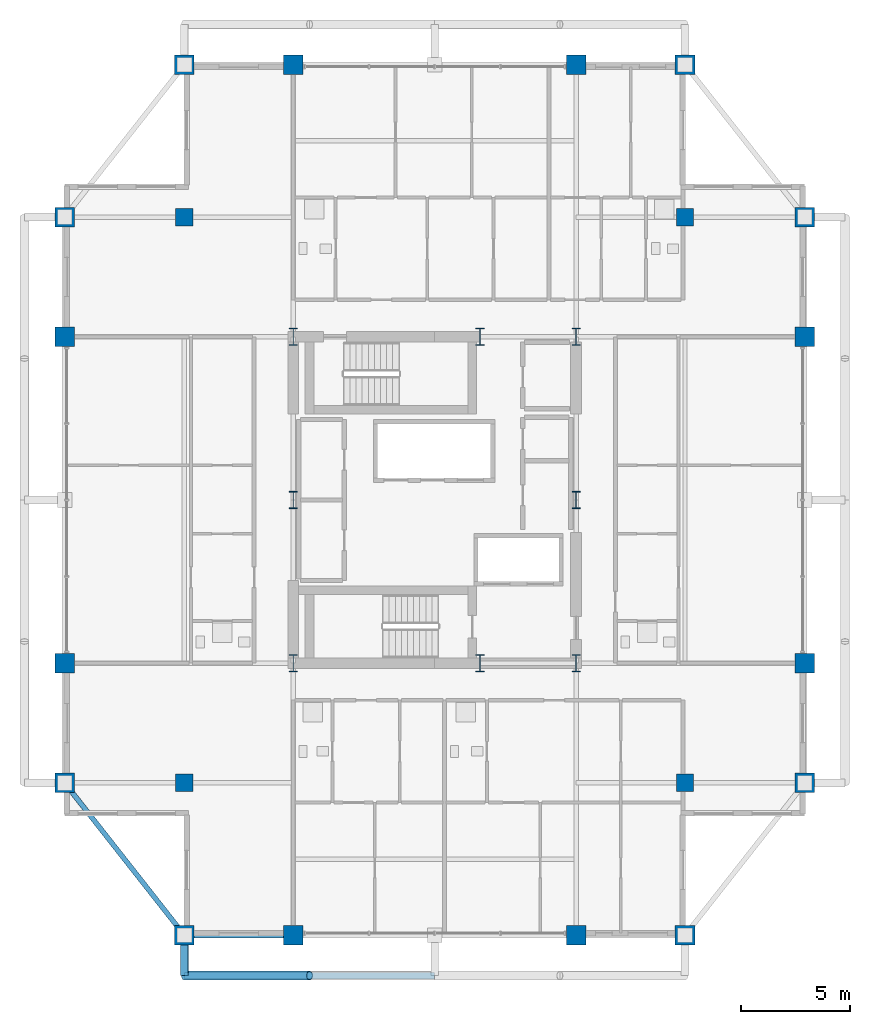
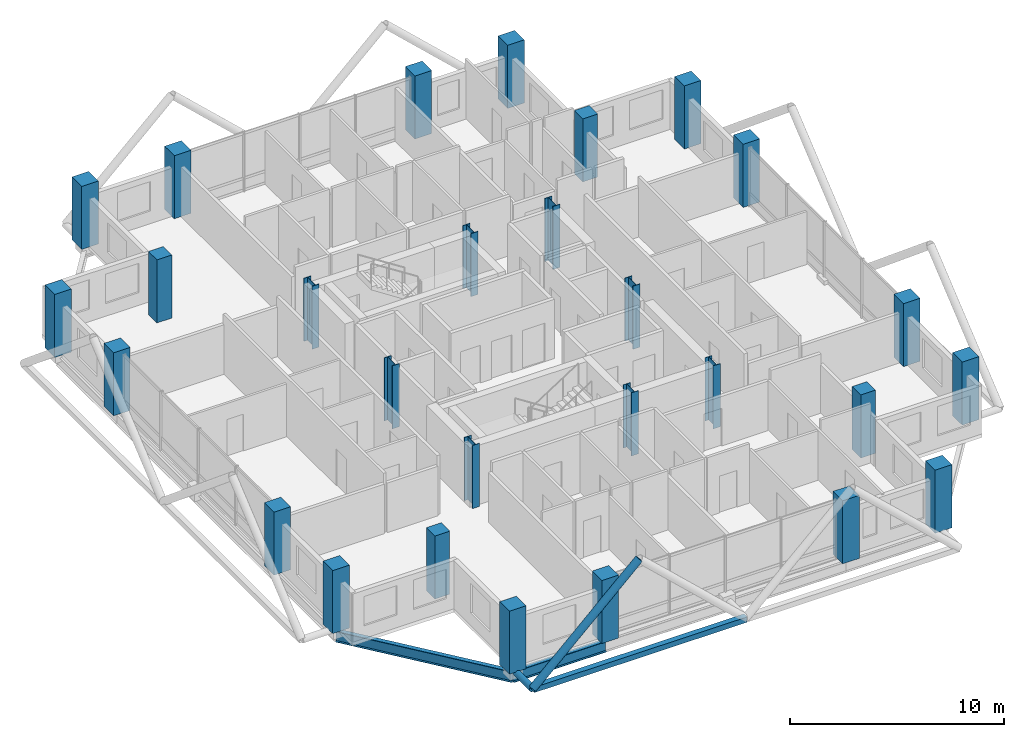
# One storey, part 1 of 25: 28 columns, 3 members, 2 beams.
"""IFC4 building model written with IfcOpenShell, lengths in metres."""

from ifc_helpers import new_model, si_unit, direction, frame, origin, origin_2d, place, context, subcontext, project, spatial, rectangle, hollow_rectangle, hollow_circle, i_section, extrude, material, material_profile, profile_set, type_object, element, save


model = new_model("IFC4")

# Units and contexts
model_context = context("Model", 3, precision=1e-05, world=origin(), true_north=direction((0.0, 1.0)))
body_context = subcontext(model_context, "Body", "Model", "MODEL_VIEW")
ifc_project = project(units=[si_unit("LENGTHUNIT", "METRE"), si_unit("AREAUNIT", "SQUARE_METRE"), si_unit("VOLUMEUNIT", "CUBIC_METRE"), si_unit("PLANEANGLEUNIT", "RADIAN"), si_unit("MASSUNIT", "GRAM", prefix="KILO")], contexts=[model_context])

# Site, building, storey
site_placement = place(None, origin())
site = spatial("IfcSite", under=ifc_project, at=site_placement, CompositionType="ELEMENT")
building_placement = place(site_placement, origin())
building = spatial("IfcBuilding", under=site, at=building_placement, Name="Barlavira Tower and Art Museum", CompositionType="ELEMENT")
storey_placement = place(building_placement, frame((0.0, 0.0, 229.5)))
storey = spatial("IfcBuildingStorey", under=building, at=storey_placement, Name="L59", CompositionType="ELEMENT", Elevation=229.5)

# Columns
ifc_material_1 = material(Name="Steel S355", Category="steel")
ifc_material_profile_1 = material_profile(ifc_material_1, i_section(OverallWidth=0.382080078125, OverallDepth=0.785888671875, WebThickness=0.02001953125, FlangeThickness=0.032958984375, at=origin_2d()), Name="W760x314.0")
ifc_profile_set_1 = profile_set([ifc_material_profile_1], Name="Steel S355")
column_type_1 = type_object("IfcColumnType", Name="Core Composite Column W760x314 Steel S355", PredefinedType="COLUMN", material=ifc_profile_set_1)
for number, where, z_axis, x_axis, name in (
    (1, (-6.5, -7.5, 0.0), (0.0, 0.0, 1.0), (1.0, 0.0, 0.0), "L59 Column CC-L59-C1"),
    (2, (2.080078125, -7.5, 0.0), (0.0, 0.0, 1.0), (1.0, 0.0, 0.0), "L59 Column CC-L59-C2"),
    (3, (6.5, -7.5, 0.0), (0.0, 0.0, 1.0), (1.0, 0.0, 0.0), "L59 Column CC-L59-C3"),
    (4, (-6.5, 0.0, 0.0), (0.0, 0.0, 1.0), (1.0, 0.0, 0.0), "L59 Column CC-L59-C4"),
    (5, (6.5, 0.0, 0.0), (0.0, 0.0, 1.0), (1.0, 0.0, 0.0), "L59 Column CC-L59-C5"),
    (6, (-6.5, 7.5, 0.0), (0.0, 0.0, 1.0), (1.0, 0.0, 0.0), "L59 Column CC-L59-C6"),
    (7, (2.080078125, 7.5, 0.0), (0.0, 0.0, 1.0), (1.0, 0.0, 0.0), "L59 Column CC-L59-C7"),
    (8, (6.5, 7.5, 0.0), (0.0, 0.0, 1.0), (1.0, 0.0, 0.0), "L59 Column CC-L59-C8"),
):
    element("IfcColumn", number, at=place(storey_placement, frame(where, z_axis=z_axis, x_axis=x_axis)), inside=storey, type_object=column_type_1, Name=name, PredefinedType="COLUMN", context=body_context, shape_type="SweptSolid", body=[
        extrude(i_section(OverallWidth=0.382080078125, OverallDepth=0.785888671875, WebThickness=0.02001953125, FlangeThickness=0.032958984375, at=origin_2d()), origin(), (0.0, 0.0, 1.0), 3.60009765625),
    ])
ifc_material_2 = material(Name="Concrete C50", Category="concrete")
ifc_material_profile_2 = material_profile(ifc_material_2, rectangle(XDim=0.89990234375, YDim=0.89990234375, at=origin_2d()), Name="RC-COL 900x900")
ifc_profile_set_2 = profile_set([ifc_material_profile_2], Name="Concrete C50")
column_type_2 = type_object("IfcColumnType", Name="Perimeter Mega Column 900x900 Concrete C50", PredefinedType="USERDEFINED", material=ifc_profile_set_2)
for number, where, z_axis, x_axis, name in (
    (9, (-11.5, -20.0, 0.0), (0.0, 0.0, 1.0), (1.0, 0.0, 0.0), "L59 Column MC-L59-M01"),
    (10, (-6.5, -20.0, 0.0), (0.0, 0.0, 1.0), (1.0, 0.0, 0.0), "L59 Column MC-L59-M02"),
    (11, (6.5, -20.0, 0.0), (0.0, 0.0, 1.0), (1.0, 0.0, 0.0), "L59 Column MC-L59-M03"),
    (12, (11.5, -20.0, 0.0), (0.0, 0.0, 1.0), (1.0, 0.0, 0.0), "L59 Column MC-L59-M04"),
    (13, (17.0, -13.0, 0.0), (0.0, 0.0, 1.0), (1.0, 0.0, 0.0), "L59 Column MC-L59-M05"),
    (14, (17.0, -7.5, 0.0), (0.0, 0.0, 1.0), (1.0, 0.0, 0.0), "L59 Column MC-L59-M06"),
    (15, (17.0, 7.5, 0.0), (0.0, 0.0, 1.0), (1.0, 0.0, 0.0), "L59 Column MC-L59-M07"),
    (16, (17.0, 13.0, 0.0), (0.0, 0.0, 1.0), (1.0, 0.0, 0.0), "L59 Column MC-L59-M08"),
    (17, (11.5, 20.0, 0.0), (0.0, 0.0, 1.0), (1.0, 0.0, 0.0), "L59 Column MC-L59-M09"),
    (18, (6.5, 20.0, 0.0), (0.0, 0.0, 1.0), (1.0, 0.0, 0.0), "L59 Column MC-L59-M10"),
    (19, (-6.5, 20.0, 0.0), (0.0, 0.0, 1.0), (1.0, 0.0, 0.0), "L59 Column MC-L59-M11"),
    (20, (-11.5, 20.0, 0.0), (0.0, 0.0, 1.0), (1.0, 0.0, 0.0), "L59 Column MC-L59-M12"),
    (21, (-17.0, 13.0, 0.0), (0.0, 0.0, 1.0), (1.0, 0.0, 0.0), "L59 Column MC-L59-M13"),
    (22, (-17.0, 7.5, 0.0), (0.0, 0.0, 1.0), (1.0, 0.0, 0.0), "L59 Column MC-L59-M14"),
    (23, (-17.0, -7.5, 0.0), (0.0, 0.0, 1.0), (1.0, 0.0, 0.0), "L59 Column MC-L59-M15"),
    (24, (-17.0, -13.0, 0.0), (0.0, 0.0, 1.0), (1.0, 0.0, 0.0), "L59 Column MC-L59-M16"),
):
    element("IfcColumn", number, at=place(storey_placement, frame(where, z_axis=z_axis, x_axis=x_axis)), inside=storey, type_object=column_type_2, Name=name, ObjectType="MEGA COLUMN", PredefinedType="USERDEFINED", context=body_context, shape_type="SweptSolid", body=[
        extrude(rectangle(XDim=0.89990234375, YDim=0.89990234375, at=origin_2d()), origin(), (0.0, 0.0, 1.0), 3.60009765625),
    ])
ifc_material_profile_3 = material_profile(ifc_material_2, rectangle(XDim=0.800048828125, YDim=0.800048828125, at=origin_2d()), Name="RC-COL 800x800")
ifc_profile_set_3 = profile_set([ifc_material_profile_3], Name="Concrete C50")
column_type_3 = type_object("IfcColumnType", Name="Podium Frame Column 800x800 Concrete C50", PredefinedType="COLUMN", material=ifc_profile_set_3)
for number, where, z_axis, x_axis, name in (
    (25, (-11.5, -13.0, 0.0), (0.0, 0.0, 1.0), (1.0, 0.0, 0.0), "L59 Column CI-L59-I1"),
    (26, (11.5, -13.0, 0.0), (0.0, 0.0, 1.0), (1.0, 0.0, 0.0), "L59 Column CI-L59-I2"),
    (27, (-11.5, 13.0, 0.0), (0.0, 0.0, 1.0), (1.0, 0.0, 0.0), "L59 Column CI-L59-I3"),
    (28, (11.5, 13.0, 0.0), (0.0, 0.0, 1.0), (1.0, 0.0, 0.0), "L59 Column CI-L59-I4"),
):
    element("IfcColumn", number, at=place(storey_placement, frame(where, z_axis=z_axis, x_axis=x_axis)), inside=storey, type_object=column_type_3, Name=name, PredefinedType="COLUMN", context=body_context, shape_type="SweptSolid", body=[
        extrude(rectangle(XDim=0.800048828125, YDim=0.800048828125, at=origin_2d()), origin(), (0.0, 0.0, 1.0), 3.60009765625),
    ])

# Members
ifc_material_profile_4 = material_profile(ifc_material_1, hollow_circle(Radius=0.203125, WallThickness=0.01611328125, at=origin_2d()), Name="CHS 406.4x16.0")
ifc_profile_set_4 = profile_set([ifc_material_profile_4], Name="Steel S355")
member_type_1 = type_object("IfcMemberType", Name="Pale-Metal Exoskeleton Diagrid Tube CHS 406x16 Steel S355", PredefinedType="BRACE", material=ifc_profile_set_4)
member_1_placement = place(storey_placement, frame((-11.5, -21.85009765625, -0.1201171875), z_axis=(0.728934650808, 0.0, 0.684583285548), x_axis=(0.0, 1.0, 0.0)))
element("IfcMember", 29, at=member_1_placement, inside=storey, type_object=member_type_1, Name="L59 Exoskeleton Diagrid Tube S", PredefinedType="BRACE", context=body_context, shape_type="SweptSolid", body=[
    extrude(hollow_circle(Radius=0.203125, WallThickness=0.01611328125, at=origin_2d()), origin(), (0.0, 0.0, 1.0), 7.88818359375),
])
ifc_material_profile_5 = material_profile(ifc_material_1, hollow_circle(Radius=0.177734375, WallThickness=0.01611328125, at=origin_2d()), Name="CHS 355.6x16.0")
ifc_profile_set_5 = profile_set([ifc_material_profile_5], Name="Steel S355")
member_type_2 = type_object("IfcMemberType", Name="Pale-Metal Exoskeleton Tie Strut CHS 356x16 Steel S355", PredefinedType="STRUT", material=ifc_profile_set_5)
member_2_placement = place(storey_placement, frame((-11.5, -21.85009765625, -0.1201171875), z_axis=(0.0, 1.0, 0.0), x_axis=(-1.0, 0.0, 0.0)))
element("IfcMember", 30, at=member_2_placement, inside=storey, type_object=member_type_2, Name="L59 Exoskeleton Tie Strut S1", PredefinedType="STRUT", context=body_context, shape_type="SweptSolid", body=[
    extrude(hollow_circle(Radius=0.177734375, WallThickness=0.01611328125, at=origin_2d()), origin(), (0.0, 0.0, 1.0), 1.85009765625),
])
ifc_material_profile_6 = material_profile(ifc_material_1, hollow_rectangle(XDim=0.300048828125, YDim=0.300048828125, WallThickness=0.01611328125, at=origin_2d()), Name="SHS 300x300x16.0")
ifc_profile_set_6 = profile_set([ifc_material_profile_6], Name="Steel S355")
member_type_3 = type_object("IfcMemberType", Name="Pale-Metal Upper Ring Strut SHS 300x300x16 Steel S355", PredefinedType="STRUT", material=ifc_profile_set_6)
member_3_placement = place(storey_placement, frame((-11.5, -21.85009765625, -0.1201171875), z_axis=(1.0, 0.0, 0.0), x_axis=(0.0, 1.0, 0.0)))
element("IfcMember", 31, at=member_3_placement, inside=storey, type_object=member_type_3, Name="L59 Exoskeleton Ring Strut S", PredefinedType="STRUT", context=body_context, shape_type="SweptSolid", body=[
    extrude(hollow_rectangle(XDim=0.300048828125, YDim=0.300048828125, WallThickness=0.01611328125, at=origin_2d()), origin(), (0.0, 0.0, 1.0), 11.5),
])

# Beams
ifc_material_profile_7 = material_profile(ifc_material_1, i_section(OverallWidth=0.22998046875, OverallDepth=0.616943359375, WebThickness=0.01318359375, FlangeThickness=0.022216796875, at=origin_2d()), Name="W610x140.0")
ifc_profile_set_7 = profile_set([ifc_material_profile_7], Name="Steel S355")
beam_type = type_object("IfcBeamType", Name="Upper Shaft Spandrel Edge Beam W610x140 Steel S355", PredefinedType="SPANDREL", material=ifc_profile_set_7)
beam_1_placement = place(storey_placement, frame((-11.5, -20.0, -0.528564453125), z_axis=(1.0, 0.0, 0.0), x_axis=(0.0, 1.0, 0.0)))
element("IfcBeam", 32, at=beam_1_placement, inside=storey, type_object=beam_type, Name="L59 Spandrel 1", PredefinedType="SPANDREL", context=body_context, shape_type="SweptSolid", body=[
    extrude(i_section(OverallWidth=0.22998046875, OverallDepth=0.616943359375, WebThickness=0.01318359375, FlangeThickness=0.022216796875, at=origin_2d()), origin(), (0.0, 0.0, 1.0), 5.0),
])
beam_2_placement = place(storey_placement, frame((-17.0, -13.0, -0.528564453125), z_axis=(0.617821551932, -0.786318338822, 0.0), x_axis=(0.786318338822, 0.617821551932, 0.0)))
element("IfcBeam", 33, at=beam_2_placement, inside=storey, type_object=beam_type, Name="L59 Spandrel 16", PredefinedType="SPANDREL", context=body_context, shape_type="SweptSolid", body=[
    extrude(i_section(OverallWidth=0.22998046875, OverallDepth=0.616943359375, WebThickness=0.01318359375, FlangeThickness=0.022216796875, at=origin_2d()), origin(), (0.0, 0.0, 1.0), 8.90234375),
])

save(model, "model.ifc")
